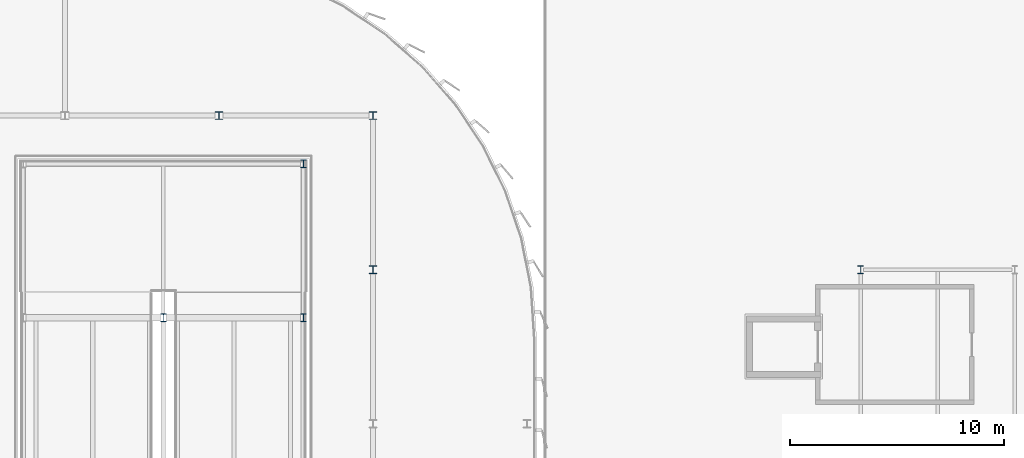
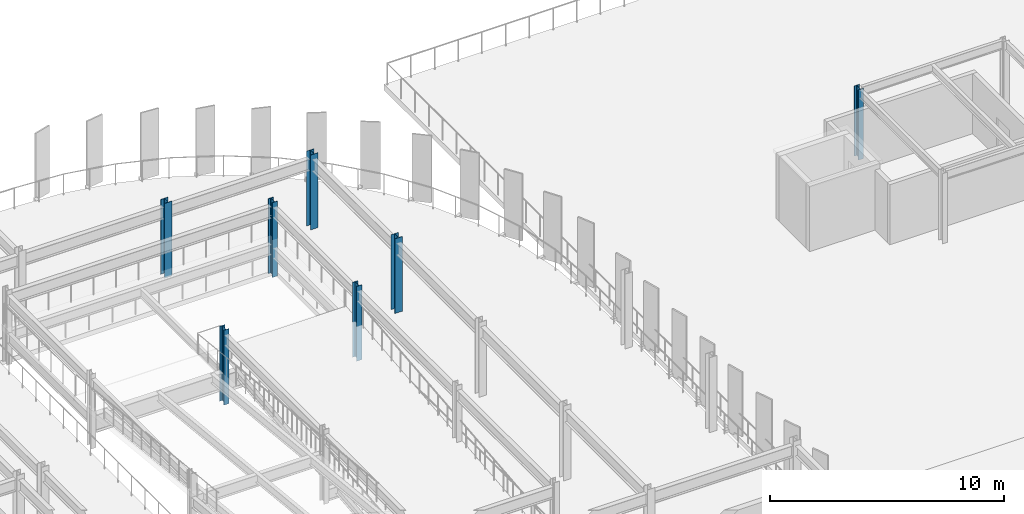
# One storey, part 12 of 52: 7 columns.
"""IFC4 building model written with IfcOpenShell, lengths in metres."""

from ifc_helpers import new_model, si_unit, direction, frame, origin, origin_2d, place, context, subcontext, project, spatial, i_section, extrude, material, material_profile, profile_set, type_object, element, save


model = new_model("IFC4")

# Units and contexts
model_context = context("Model", 3, precision=1e-05, world=origin(), true_north=direction((0.0, 1.0)))
body_context = subcontext(model_context, "Body", "Model", "MODEL_VIEW")
ifc_project = project(units=[si_unit("LENGTHUNIT", "METRE"), si_unit("AREAUNIT", "SQUARE_METRE"), si_unit("VOLUMEUNIT", "CUBIC_METRE"), si_unit("PLANEANGLEUNIT", "RADIAN"), si_unit("MASSUNIT", "GRAM", prefix="KILO")], contexts=[model_context])

# Site, building, storey
site_placement = place(None, origin())
site = spatial("IfcSite", under=ifc_project, at=site_placement, CompositionType="ELEMENT")
building_placement = place(site_placement, origin())
building = spatial("IfcBuilding", under=site, at=building_placement, Name="Vaelcorin Mobility Hub", CompositionType="ELEMENT")
storey_placement = place(building_placement, frame((0.0, 0.0, 13.199951171875)))
storey = spatial("IfcBuildingStorey", under=building, at=storey_placement, Name="L03", CompositionType="ELEMENT", Elevation=13.199951171875)

# Columns
ifc_material = material(Name="Steel ASTM A992 Grade 50", Category="steel")
ifc_material_profile_1 = material_profile(ifc_material, i_section(OverallWidth=0.25390625, OverallDepth=0.35595703125, WebThickness=0.010498046875, FlangeThickness=0.018310546875, FilletRadius=0.014892578125, at=origin_2d()), Name="W14X68")
ifc_profile_set_1 = profile_set([ifc_material_profile_1], Name="Steel ASTM A992 Grade 50")
column_type_1 = type_object("IfcColumnType", Name="COL-W14X68", PredefinedType="COLUMN", material=ifc_profile_set_1)
column_placement = place(storey_placement, frame((168.0, 105.60009765625, 0.0), z_axis=(0.0, 0.0, 1.0), x_axis=(1.0, 0.0, 0.0)))
element("IfcColumn", 1, at=column_placement, inside=storey, type_object=column_type_1, Name="Column V5-X03Y13 L03", PredefinedType="COLUMN", context=body_context, shape_type="SweptSolid", body=[
    extrude(i_section(OverallWidth=0.25390625, OverallDepth=0.35595703125, WebThickness=0.010498046875, FlangeThickness=0.018310546875, FilletRadius=0.014892578125, at=origin_2d()), origin(), (0.0, 0.0, 1.0), 3.66015625),
])
ifc_material_profile_2 = material_profile(ifc_material, i_section(OverallWidth=0.257080078125, OverallDepth=0.363037109375, WebThickness=0.012939453125, FlangeThickness=0.021728515625, FilletRadius=0.014892578125, at=origin_2d()), Name="W14X82")
ifc_profile_set_2 = profile_set([ifc_material_profile_2], Name="Steel ASTM A992 Grade 50")
column_type_2 = type_object("IfcColumnType", Name="COL-W14X82", PredefinedType="COLUMN", material=ifc_profile_set_2)
for number, where, z_axis, x_axis, name in (
    (2, (135.39990234375, 103.35009765625, 0.0), (0.0, 0.0, 1.0), (1.0, 0.0, 0.0), "Column V2E-RDRM-MN L03"),
    (3, (141.949951171875, 103.35009765625, 0.0), (0.0, 0.0, 1.0), (1.0, 0.0, 0.0), "Column V2E-RDRM-EN L03"),
    (4, (141.949951171875, 110.550048828125, 0.0), (0.0, 0.0, 1.0), (1.0, 0.0, 0.0), "Column V2E-RDRM-EB L03"),
):
    element("IfcColumn", number, at=place(storey_placement, frame(where, z_axis=z_axis, x_axis=x_axis)), inside=storey, type_object=column_type_2, Name=name, PredefinedType="COLUMN", context=body_context, shape_type="SweptSolid", body=[
        extrude(i_section(OverallWidth=0.257080078125, OverallDepth=0.363037109375, WebThickness=0.012939453125, FlangeThickness=0.021728515625, FilletRadius=0.014892578125, at=origin_2d()), origin(), (0.0, 0.0, 1.0), 3.900146484375),
    ])
ifc_material_profile_3 = material_profile(ifc_material, i_section(OverallWidth=0.367919921875, OverallDepth=0.35595703125, WebThickness=0.01123046875, FlangeThickness=0.01806640625, FilletRadius=0.014892578125, at=origin_2d()), Name="W14X90")
ifc_profile_set_3 = profile_set([ifc_material_profile_3], Name="Steel ASTM A992 Grade 50")
column_type_3 = type_object("IfcColumnType", Name="COL-W14X90", PredefinedType="COLUMN", material=ifc_profile_set_3)
for number, where, z_axis, x_axis, name in (
    (5, (138.0, 112.800048828125, 0.0), (0.0, 0.0, 1.0), (1.0, 0.0, 0.0), "Column V2E-G3x6 L03"),
    (6, (145.199951171875, 105.60009765625, 0.0), (0.0, 0.0, 1.0), (1.0, 0.0, 0.0), "Column V2E-G4x5 L03"),
    (7, (145.199951171875, 112.800048828125, 0.0), (0.0, 0.0, 1.0), (1.0, 0.0, 0.0), "Column V2E-G4x6 L03"),
):
    element("IfcColumn", number, at=place(storey_placement, frame(where, z_axis=z_axis, x_axis=x_axis)), inside=storey, type_object=column_type_3, Name=name, PredefinedType="COLUMN", context=body_context, shape_type="SweptSolid", body=[
        extrude(i_section(OverallWidth=0.367919921875, OverallDepth=0.35595703125, WebThickness=0.01123046875, FlangeThickness=0.01806640625, FilletRadius=0.014892578125, at=origin_2d()), origin(), (0.0, 0.0, 1.0), 3.900146484375),
    ])

save(model, "model.ifc")
